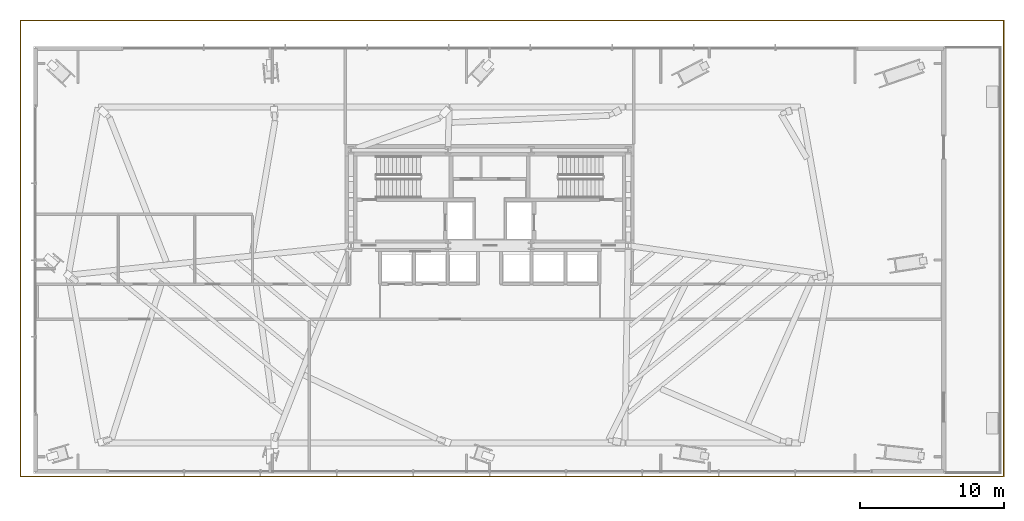
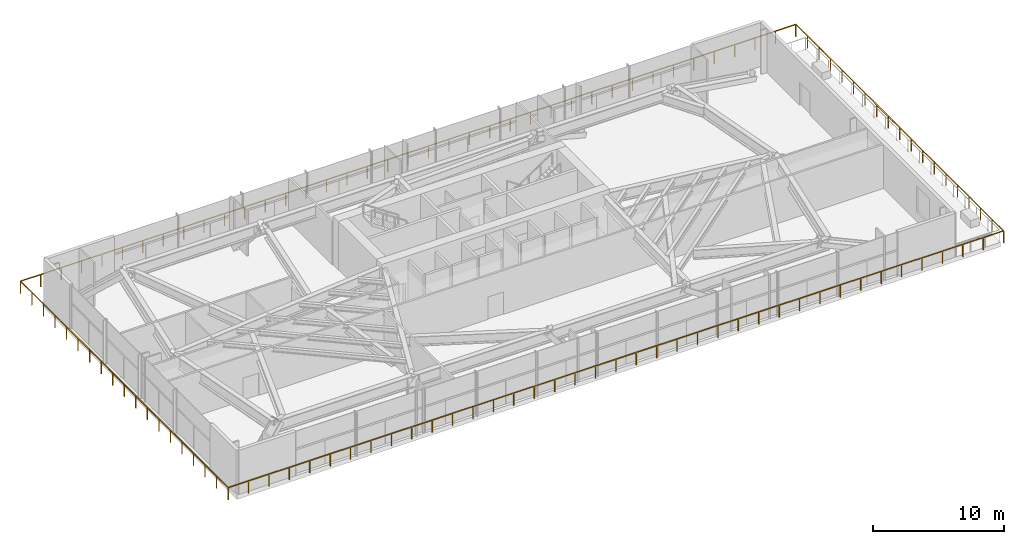
# One storey, part 26 of 29: 2 railings.
"""IFC4 building model written with IfcOpenShell, lengths in metres."""

from ifc_helpers import new_model, si_unit, direction, frame, origin, origin_2d, place, context, subcontext, project, spatial, rectangle, extrude, source, transform, mapped, material, type_object, type_shapes, element, save


model = new_model("IFC4")

# Units and contexts
model_context = context("Model", 3, precision=1e-05, world=origin(), true_north=direction((0.0, 1.0)))
body_context = subcontext(model_context, "Body", "Model", "MODEL_VIEW")
ifc_project = project(units=[si_unit("LENGTHUNIT", "METRE"), si_unit("AREAUNIT", "SQUARE_METRE"), si_unit("VOLUMEUNIT", "CUBIC_METRE"), si_unit("PLANEANGLEUNIT", "RADIAN"), si_unit("MASSUNIT", "GRAM", prefix="KILO")], contexts=[model_context])

# Site, building, storey
site_placement = place(None, origin())
site = spatial("IfcSite", under=ifc_project, at=site_placement, CompositionType="ELEMENT")
building_placement = place(site_placement, origin())
building = spatial("IfcBuilding", under=site, at=building_placement, Name="Astriad Promenade Condominiums", CompositionType="ELEMENT")
storey_placement = place(building_placement, frame((0.0, 0.0, 18.5)))
storey = spatial("IfcBuildingStorey", under=building, at=storey_placement, Name="L04", CompositionType="ELEMENT", Elevation=18.5)

# Railings
ifc_material = material(Name="Anodised Aluminium and Glass Terrace Guardrail", Category="aluminium")
railing_type = type_object("IfcRailingType", Name="GRD-TERR-1150", PredefinedType="GUARDRAIL", material=ifc_material)
shared_shape_1 = source(origin(), body_context, "Body", "SweptSolid", [
    extrude(rectangle(XDim=0.048095703125, YDim=0.048095703125, at=origin_2d()), frame((0.0, 0.0, 1.1259765625), z_axis=(0.0, -1.0, 0.0), x_axis=(1.0, 0.0, 0.0)), (0.0, 0.0, 1.0), 31.60009765625),
    extrude(rectangle(XDim=0.048095703125, YDim=0.048095703125, at=origin_2d()), frame((0.0, -31.60009765625, 1.1259765625), z_axis=(-1.0, 0.0, 0.0), x_axis=(0.0, -1.0, 0.0)), (0.0, 0.0, 1.0), 68.10009765625),
    extrude(rectangle(XDim=0.0419921875, YDim=0.0419921875, at=origin_2d()), origin(), (0.0, 0.0, 1.0), 1.101806640625),
    extrude(rectangle(XDim=0.0419921875, YDim=0.0419921875, at=origin_2d()), frame((0.0, -1.755615234375, 0.0)), (0.0, 0.0, 1.0), 1.101806640625),
    extrude(rectangle(XDim=0.0419921875, YDim=0.0419921875, at=origin_2d()), frame((0.0, -3.51123046875, 0.0)), (0.0, 0.0, 1.0), 1.101806640625),
    extrude(rectangle(XDim=0.0419921875, YDim=0.0419921875, at=origin_2d()), frame((0.0, -5.2666015625, 0.0)), (0.0, 0.0, 1.0), 1.101806640625),
    extrude(rectangle(XDim=0.0419921875, YDim=0.0419921875, at=origin_2d()), frame((0.0, -7.022216796875, 0.0)), (0.0, 0.0, 1.0), 1.101806640625),
    extrude(rectangle(XDim=0.0419921875, YDim=0.0419921875, at=origin_2d()), frame((0.0, -8.77783203125, 0.0)), (0.0, 0.0, 1.0), 1.101806640625),
    extrude(rectangle(XDim=0.0419921875, YDim=0.0419921875, at=origin_2d()), frame((0.0, -10.533447265625, 0.0)), (0.0, 0.0, 1.0), 1.101806640625),
    extrude(rectangle(XDim=0.0419921875, YDim=0.0419921875, at=origin_2d()), frame((0.0, -12.288818359375, 0.0)), (0.0, 0.0, 1.0), 1.101806640625),
    extrude(rectangle(XDim=0.0419921875, YDim=0.0419921875, at=origin_2d()), frame((0.0, -14.04443359375, 0.0)), (0.0, 0.0, 1.0), 1.101806640625),
    extrude(rectangle(XDim=0.0419921875, YDim=0.0419921875, at=origin_2d()), frame((0.0, -15.800048828125, 0.0)), (0.0, 0.0, 1.0), 1.101806640625),
    extrude(rectangle(XDim=0.0419921875, YDim=0.0419921875, at=origin_2d()), frame((0.0, -17.5556640625, 0.0)), (0.0, 0.0, 1.0), 1.101806640625),
    extrude(rectangle(XDim=0.0419921875, YDim=0.0419921875, at=origin_2d()), frame((0.0, -19.311279296875, 0.0)), (0.0, 0.0, 1.0), 1.101806640625),
    extrude(rectangle(XDim=0.0419921875, YDim=0.0419921875, at=origin_2d()), frame((0.0, -21.066650390625, 0.0)), (0.0, 0.0, 1.0), 1.101806640625),
    extrude(rectangle(XDim=0.0419921875, YDim=0.0419921875, at=origin_2d()), frame((0.0, -22.822265625, 0.0)), (0.0, 0.0, 1.0), 1.101806640625),
    extrude(rectangle(XDim=0.0419921875, YDim=0.0419921875, at=origin_2d()), frame((0.0, -24.577880859375, 0.0)), (0.0, 0.0, 1.0), 1.101806640625),
    extrude(rectangle(XDim=0.0419921875, YDim=0.0419921875, at=origin_2d()), frame((0.0, -26.33349609375, 0.0)), (0.0, 0.0, 1.0), 1.101806640625),
    extrude(rectangle(XDim=0.0419921875, YDim=0.0419921875, at=origin_2d()), frame((0.0, -28.0888671875, 0.0)), (0.0, 0.0, 1.0), 1.101806640625),
    extrude(rectangle(XDim=0.0419921875, YDim=0.0419921875, at=origin_2d()), frame((0.0, -29.844482421875, 0.0)), (0.0, 0.0, 1.0), 1.101806640625),
    extrude(rectangle(XDim=0.0419921875, YDim=0.0419921875, at=origin_2d()), frame((0.0, -31.60009765625, 0.0)), (0.0, 0.0, 1.0), 1.101806640625),
    extrude(rectangle(XDim=0.0419921875, YDim=0.0419921875, at=origin_2d()), frame((-1.7919921875, -31.60009765625, 0.0)), (0.0, 0.0, 1.0), 1.101806640625),
    extrude(rectangle(XDim=0.0419921875, YDim=0.0419921875, at=origin_2d()), frame((-3.584228515625, -31.60009765625, 0.0)), (0.0, 0.0, 1.0), 1.101806640625),
    extrude(rectangle(XDim=0.0419921875, YDim=0.0419921875, at=origin_2d()), frame((-5.376220703125, -31.60009765625, 0.0)), (0.0, 0.0, 1.0), 1.101806640625),
    extrude(rectangle(XDim=0.0419921875, YDim=0.0419921875, at=origin_2d()), frame((-7.16845703125, -31.60009765625, 0.0)), (0.0, 0.0, 1.0), 1.101806640625),
    extrude(rectangle(XDim=0.0419921875, YDim=0.0419921875, at=origin_2d()), frame((-8.96044921875, -31.60009765625, 0.0)), (0.0, 0.0, 1.0), 1.101806640625),
    extrude(rectangle(XDim=0.0419921875, YDim=0.0419921875, at=origin_2d()), frame((-10.752685546875, -31.60009765625, 0.0)), (0.0, 0.0, 1.0), 1.101806640625),
    extrude(rectangle(XDim=0.0419921875, YDim=0.0419921875, at=origin_2d()), frame((-12.544677734375, -31.60009765625, 0.0)), (0.0, 0.0, 1.0), 1.101806640625),
    extrude(rectangle(XDim=0.0419921875, YDim=0.0419921875, at=origin_2d()), frame((-14.3369140625, -31.60009765625, 0.0)), (0.0, 0.0, 1.0), 1.101806640625),
    extrude(rectangle(XDim=0.0419921875, YDim=0.0419921875, at=origin_2d()), frame((-16.12890625, -31.60009765625, 0.0)), (0.0, 0.0, 1.0), 1.101806640625),
    extrude(rectangle(XDim=0.0419921875, YDim=0.0419921875, at=origin_2d()), frame((-17.921142578125, -31.60009765625, 0.0)), (0.0, 0.0, 1.0), 1.101806640625),
    extrude(rectangle(XDim=0.0419921875, YDim=0.0419921875, at=origin_2d()), frame((-19.713134765625, -31.60009765625, 0.0)), (0.0, 0.0, 1.0), 1.101806640625),
    extrude(rectangle(XDim=0.0419921875, YDim=0.0419921875, at=origin_2d()), frame((-21.50537109375, -31.60009765625, 0.0)), (0.0, 0.0, 1.0), 1.101806640625),
    extrude(rectangle(XDim=0.0419921875, YDim=0.0419921875, at=origin_2d()), frame((-23.29736328125, -31.60009765625, 0.0)), (0.0, 0.0, 1.0), 1.101806640625),
    extrude(rectangle(XDim=0.0419921875, YDim=0.0419921875, at=origin_2d()), frame((-25.089599609375, -31.60009765625, 0.0)), (0.0, 0.0, 1.0), 1.101806640625),
    extrude(rectangle(XDim=0.0419921875, YDim=0.0419921875, at=origin_2d()), frame((-26.881591796875, -31.60009765625, 0.0)), (0.0, 0.0, 1.0), 1.101806640625),
    extrude(rectangle(XDim=0.0419921875, YDim=0.0419921875, at=origin_2d()), frame((-28.673828125, -31.60009765625, 0.0)), (0.0, 0.0, 1.0), 1.101806640625),
    extrude(rectangle(XDim=0.0419921875, YDim=0.0419921875, at=origin_2d()), frame((-30.4658203125, -31.60009765625, 0.0)), (0.0, 0.0, 1.0), 1.101806640625),
    extrude(rectangle(XDim=0.0419921875, YDim=0.0419921875, at=origin_2d()), frame((-32.258056640625, -31.60009765625, 0.0)), (0.0, 0.0, 1.0), 1.101806640625),
    extrude(rectangle(XDim=0.0419921875, YDim=0.0419921875, at=origin_2d()), frame((-34.050048828125, -31.60009765625, 0.0)), (0.0, 0.0, 1.0), 1.101806640625),
    extrude(rectangle(XDim=0.0419921875, YDim=0.0419921875, at=origin_2d()), frame((-35.842041015625, -31.60009765625, 0.0)), (0.0, 0.0, 1.0), 1.101806640625),
    extrude(rectangle(XDim=0.0419921875, YDim=0.0419921875, at=origin_2d()), frame((-37.63427734375, -31.60009765625, 0.0)), (0.0, 0.0, 1.0), 1.101806640625),
    extrude(rectangle(XDim=0.0419921875, YDim=0.0419921875, at=origin_2d()), frame((-39.42626953125, -31.60009765625, 0.0)), (0.0, 0.0, 1.0), 1.101806640625),
    extrude(rectangle(XDim=0.0419921875, YDim=0.0419921875, at=origin_2d()), frame((-41.218505859375, -31.60009765625, 0.0)), (0.0, 0.0, 1.0), 1.101806640625),
    extrude(rectangle(XDim=0.0419921875, YDim=0.0419921875, at=origin_2d()), frame((-43.010498046875, -31.60009765625, 0.0)), (0.0, 0.0, 1.0), 1.101806640625),
    extrude(rectangle(XDim=0.0419921875, YDim=0.0419921875, at=origin_2d()), frame((-44.802734375, -31.60009765625, 0.0)), (0.0, 0.0, 1.0), 1.101806640625),
    extrude(rectangle(XDim=0.0419921875, YDim=0.0419921875, at=origin_2d()), frame((-46.5947265625, -31.60009765625, 0.0)), (0.0, 0.0, 1.0), 1.101806640625),
    extrude(rectangle(XDim=0.0419921875, YDim=0.0419921875, at=origin_2d()), frame((-48.386962890625, -31.60009765625, 0.0)), (0.0, 0.0, 1.0), 1.101806640625),
    extrude(rectangle(XDim=0.0419921875, YDim=0.0419921875, at=origin_2d()), frame((-50.178955078125, -31.60009765625, 0.0)), (0.0, 0.0, 1.0), 1.101806640625),
    extrude(rectangle(XDim=0.0419921875, YDim=0.0419921875, at=origin_2d()), frame((-51.97119140625, -31.60009765625, 0.0)), (0.0, 0.0, 1.0), 1.101806640625),
    extrude(rectangle(XDim=0.0419921875, YDim=0.0419921875, at=origin_2d()), frame((-53.76318359375, -31.60009765625, 0.0)), (0.0, 0.0, 1.0), 1.101806640625),
    extrude(rectangle(XDim=0.0419921875, YDim=0.0419921875, at=origin_2d()), frame((-55.555419921875, -31.60009765625, 0.0)), (0.0, 0.0, 1.0), 1.101806640625),
    extrude(rectangle(XDim=0.0419921875, YDim=0.0419921875, at=origin_2d()), frame((-57.347412109375, -31.60009765625, 0.0)), (0.0, 0.0, 1.0), 1.101806640625),
    extrude(rectangle(XDim=0.0419921875, YDim=0.0419921875, at=origin_2d()), frame((-59.1396484375, -31.60009765625, 0.0)), (0.0, 0.0, 1.0), 1.101806640625),
    extrude(rectangle(XDim=0.0419921875, YDim=0.0419921875, at=origin_2d()), frame((-60.931640625, -31.60009765625, 0.0)), (0.0, 0.0, 1.0), 1.101806640625),
    extrude(rectangle(XDim=0.0419921875, YDim=0.0419921875, at=origin_2d()), frame((-62.723876953125, -31.60009765625, 0.0)), (0.0, 0.0, 1.0), 1.101806640625),
    extrude(rectangle(XDim=0.0419921875, YDim=0.0419921875, at=origin_2d()), frame((-64.515869140625, -31.60009765625, 0.0)), (0.0, 0.0, 1.0), 1.101806640625),
    extrude(rectangle(XDim=0.0419921875, YDim=0.0419921875, at=origin_2d()), frame((-66.30810546875, -31.60009765625, 0.0)), (0.0, 0.0, 1.0), 1.101806640625),
    extrude(rectangle(XDim=0.0419921875, YDim=0.0419921875, at=origin_2d()), frame((-68.10009765625, -31.60009765625, 0.0)), (0.0, 0.0, 1.0), 1.101806640625),
])
railing_1_placement = place(storey_placement, frame((71.60009765625, 33.0, 0.0)))
element("IfcRailing", 1, at=railing_1_placement, inside=storey, type_object=railing_type, Name="GRD-PSTEP-L04-01", PredefinedType="GUARDRAIL", context=body_context, shape_type="MappedRepresentation", body=[
    mapped(shared_shape_1, transform((0.0, 0.0, 0.0), scale=1.0)),
])
shared_shape_2 = source(origin(), body_context, "Body", "SweptSolid", [
    extrude(rectangle(XDim=0.048095703125, YDim=0.048095703125, at=origin_2d()), frame((0.0, 0.0, 1.1259765625), z_axis=(0.0, 1.0, 0.0), x_axis=(-1.0, 0.0, 0.0)), (0.0, 0.0, 1.0), 31.60009765625),
    extrude(rectangle(XDim=0.048095703125, YDim=0.048095703125, at=origin_2d()), frame((0.0, 31.60009765625, 1.1259765625), z_axis=(1.0, 0.0, 0.0), x_axis=(0.0, 1.0, 0.0)), (0.0, 0.0, 1.0), 68.10009765625),
    extrude(rectangle(XDim=0.0419921875, YDim=0.0419921875, at=origin_2d()), origin(), (0.0, 0.0, 1.0), 1.101806640625),
    extrude(rectangle(XDim=0.0419921875, YDim=0.0419921875, at=origin_2d()), frame((0.0, 1.755615234375, 0.0)), (0.0, 0.0, 1.0), 1.101806640625),
    extrude(rectangle(XDim=0.0419921875, YDim=0.0419921875, at=origin_2d()), frame((0.0, 3.51123046875, 0.0)), (0.0, 0.0, 1.0), 1.101806640625),
    extrude(rectangle(XDim=0.0419921875, YDim=0.0419921875, at=origin_2d()), frame((0.0, 5.2666015625, 0.0)), (0.0, 0.0, 1.0), 1.101806640625),
    extrude(rectangle(XDim=0.0419921875, YDim=0.0419921875, at=origin_2d()), frame((0.0, 7.022216796875, 0.0)), (0.0, 0.0, 1.0), 1.101806640625),
    extrude(rectangle(XDim=0.0419921875, YDim=0.0419921875, at=origin_2d()), frame((0.0, 8.77783203125, 0.0)), (0.0, 0.0, 1.0), 1.101806640625),
    extrude(rectangle(XDim=0.0419921875, YDim=0.0419921875, at=origin_2d()), frame((0.0, 10.533447265625, 0.0)), (0.0, 0.0, 1.0), 1.101806640625),
    extrude(rectangle(XDim=0.0419921875, YDim=0.0419921875, at=origin_2d()), frame((0.0, 12.288818359375, 0.0)), (0.0, 0.0, 1.0), 1.101806640625),
    extrude(rectangle(XDim=0.0419921875, YDim=0.0419921875, at=origin_2d()), frame((0.0, 14.04443359375, 0.0)), (0.0, 0.0, 1.0), 1.101806640625),
    extrude(rectangle(XDim=0.0419921875, YDim=0.0419921875, at=origin_2d()), frame((0.0, 15.800048828125, 0.0)), (0.0, 0.0, 1.0), 1.101806640625),
    extrude(rectangle(XDim=0.0419921875, YDim=0.0419921875, at=origin_2d()), frame((0.0, 17.5556640625, 0.0)), (0.0, 0.0, 1.0), 1.101806640625),
    extrude(rectangle(XDim=0.0419921875, YDim=0.0419921875, at=origin_2d()), frame((0.0, 19.311279296875, 0.0)), (0.0, 0.0, 1.0), 1.101806640625),
    extrude(rectangle(XDim=0.0419921875, YDim=0.0419921875, at=origin_2d()), frame((0.0, 21.066650390625, 0.0)), (0.0, 0.0, 1.0), 1.101806640625),
    extrude(rectangle(XDim=0.0419921875, YDim=0.0419921875, at=origin_2d()), frame((0.0, 22.822265625, 0.0)), (0.0, 0.0, 1.0), 1.101806640625),
    extrude(rectangle(XDim=0.0419921875, YDim=0.0419921875, at=origin_2d()), frame((0.0, 24.577880859375, 0.0)), (0.0, 0.0, 1.0), 1.101806640625),
    extrude(rectangle(XDim=0.0419921875, YDim=0.0419921875, at=origin_2d()), frame((0.0, 26.33349609375, 0.0)), (0.0, 0.0, 1.0), 1.101806640625),
    extrude(rectangle(XDim=0.0419921875, YDim=0.0419921875, at=origin_2d()), frame((0.0, 28.0888671875, 0.0)), (0.0, 0.0, 1.0), 1.101806640625),
    extrude(rectangle(XDim=0.0419921875, YDim=0.0419921875, at=origin_2d()), frame((0.0, 29.844482421875, 0.0)), (0.0, 0.0, 1.0), 1.101806640625),
    extrude(rectangle(XDim=0.0419921875, YDim=0.0419921875, at=origin_2d()), frame((0.0, 31.60009765625, 0.0)), (0.0, 0.0, 1.0), 1.101806640625),
    extrude(rectangle(XDim=0.0419921875, YDim=0.0419921875, at=origin_2d()), frame((1.7919921875, 31.60009765625, 0.0)), (0.0, 0.0, 1.0), 1.101806640625),
    extrude(rectangle(XDim=0.0419921875, YDim=0.0419921875, at=origin_2d()), frame((3.584228515625, 31.60009765625, 0.0)), (0.0, 0.0, 1.0), 1.101806640625),
    extrude(rectangle(XDim=0.0419921875, YDim=0.0419921875, at=origin_2d()), frame((5.376220703125, 31.60009765625, 0.0)), (0.0, 0.0, 1.0), 1.101806640625),
    extrude(rectangle(XDim=0.0419921875, YDim=0.0419921875, at=origin_2d()), frame((7.16845703125, 31.60009765625, 0.0)), (0.0, 0.0, 1.0), 1.101806640625),
    extrude(rectangle(XDim=0.0419921875, YDim=0.0419921875, at=origin_2d()), frame((8.96044921875, 31.60009765625, 0.0)), (0.0, 0.0, 1.0), 1.101806640625),
    extrude(rectangle(XDim=0.0419921875, YDim=0.0419921875, at=origin_2d()), frame((10.752685546875, 31.60009765625, 0.0)), (0.0, 0.0, 1.0), 1.101806640625),
    extrude(rectangle(XDim=0.0419921875, YDim=0.0419921875, at=origin_2d()), frame((12.544677734375, 31.60009765625, 0.0)), (0.0, 0.0, 1.0), 1.101806640625),
    extrude(rectangle(XDim=0.0419921875, YDim=0.0419921875, at=origin_2d()), frame((14.3369140625, 31.60009765625, 0.0)), (0.0, 0.0, 1.0), 1.101806640625),
    extrude(rectangle(XDim=0.0419921875, YDim=0.0419921875, at=origin_2d()), frame((16.12890625, 31.60009765625, 0.0)), (0.0, 0.0, 1.0), 1.101806640625),
    extrude(rectangle(XDim=0.0419921875, YDim=0.0419921875, at=origin_2d()), frame((17.921142578125, 31.60009765625, 0.0)), (0.0, 0.0, 1.0), 1.101806640625),
    extrude(rectangle(XDim=0.0419921875, YDim=0.0419921875, at=origin_2d()), frame((19.713134765625, 31.60009765625, 0.0)), (0.0, 0.0, 1.0), 1.101806640625),
    extrude(rectangle(XDim=0.0419921875, YDim=0.0419921875, at=origin_2d()), frame((21.50537109375, 31.60009765625, 0.0)), (0.0, 0.0, 1.0), 1.101806640625),
    extrude(rectangle(XDim=0.0419921875, YDim=0.0419921875, at=origin_2d()), frame((23.29736328125, 31.60009765625, 0.0)), (0.0, 0.0, 1.0), 1.101806640625),
    extrude(rectangle(XDim=0.0419921875, YDim=0.0419921875, at=origin_2d()), frame((25.089599609375, 31.60009765625, 0.0)), (0.0, 0.0, 1.0), 1.101806640625),
    extrude(rectangle(XDim=0.0419921875, YDim=0.0419921875, at=origin_2d()), frame((26.881591796875, 31.60009765625, 0.0)), (0.0, 0.0, 1.0), 1.101806640625),
    extrude(rectangle(XDim=0.0419921875, YDim=0.0419921875, at=origin_2d()), frame((28.673828125, 31.60009765625, 0.0)), (0.0, 0.0, 1.0), 1.101806640625),
    extrude(rectangle(XDim=0.0419921875, YDim=0.0419921875, at=origin_2d()), frame((30.4658203125, 31.60009765625, 0.0)), (0.0, 0.0, 1.0), 1.101806640625),
    extrude(rectangle(XDim=0.0419921875, YDim=0.0419921875, at=origin_2d()), frame((32.258056640625, 31.60009765625, 0.0)), (0.0, 0.0, 1.0), 1.101806640625),
    extrude(rectangle(XDim=0.0419921875, YDim=0.0419921875, at=origin_2d()), frame((34.050048828125, 31.60009765625, 0.0)), (0.0, 0.0, 1.0), 1.101806640625),
    extrude(rectangle(XDim=0.0419921875, YDim=0.0419921875, at=origin_2d()), frame((35.842041015625, 31.60009765625, 0.0)), (0.0, 0.0, 1.0), 1.101806640625),
    extrude(rectangle(XDim=0.0419921875, YDim=0.0419921875, at=origin_2d()), frame((37.63427734375, 31.60009765625, 0.0)), (0.0, 0.0, 1.0), 1.101806640625),
    extrude(rectangle(XDim=0.0419921875, YDim=0.0419921875, at=origin_2d()), frame((39.42626953125, 31.60009765625, 0.0)), (0.0, 0.0, 1.0), 1.101806640625),
    extrude(rectangle(XDim=0.0419921875, YDim=0.0419921875, at=origin_2d()), frame((41.218505859375, 31.60009765625, 0.0)), (0.0, 0.0, 1.0), 1.101806640625),
    extrude(rectangle(XDim=0.0419921875, YDim=0.0419921875, at=origin_2d()), frame((43.010498046875, 31.60009765625, 0.0)), (0.0, 0.0, 1.0), 1.101806640625),
    extrude(rectangle(XDim=0.0419921875, YDim=0.0419921875, at=origin_2d()), frame((44.802734375, 31.60009765625, 0.0)), (0.0, 0.0, 1.0), 1.101806640625),
    extrude(rectangle(XDim=0.0419921875, YDim=0.0419921875, at=origin_2d()), frame((46.5947265625, 31.60009765625, 0.0)), (0.0, 0.0, 1.0), 1.101806640625),
    extrude(rectangle(XDim=0.0419921875, YDim=0.0419921875, at=origin_2d()), frame((48.386962890625, 31.60009765625, 0.0)), (0.0, 0.0, 1.0), 1.101806640625),
    extrude(rectangle(XDim=0.0419921875, YDim=0.0419921875, at=origin_2d()), frame((50.178955078125, 31.60009765625, 0.0)), (0.0, 0.0, 1.0), 1.101806640625),
    extrude(rectangle(XDim=0.0419921875, YDim=0.0419921875, at=origin_2d()), frame((51.97119140625, 31.60009765625, 0.0)), (0.0, 0.0, 1.0), 1.101806640625),
    extrude(rectangle(XDim=0.0419921875, YDim=0.0419921875, at=origin_2d()), frame((53.76318359375, 31.60009765625, 0.0)), (0.0, 0.0, 1.0), 1.101806640625),
    extrude(rectangle(XDim=0.0419921875, YDim=0.0419921875, at=origin_2d()), frame((55.555419921875, 31.60009765625, 0.0)), (0.0, 0.0, 1.0), 1.101806640625),
    extrude(rectangle(XDim=0.0419921875, YDim=0.0419921875, at=origin_2d()), frame((57.347412109375, 31.60009765625, 0.0)), (0.0, 0.0, 1.0), 1.101806640625),
    extrude(rectangle(XDim=0.0419921875, YDim=0.0419921875, at=origin_2d()), frame((59.1396484375, 31.60009765625, 0.0)), (0.0, 0.0, 1.0), 1.101806640625),
    extrude(rectangle(XDim=0.0419921875, YDim=0.0419921875, at=origin_2d()), frame((60.931640625, 31.60009765625, 0.0)), (0.0, 0.0, 1.0), 1.101806640625),
    extrude(rectangle(XDim=0.0419921875, YDim=0.0419921875, at=origin_2d()), frame((62.723876953125, 31.60009765625, 0.0)), (0.0, 0.0, 1.0), 1.101806640625),
    extrude(rectangle(XDim=0.0419921875, YDim=0.0419921875, at=origin_2d()), frame((64.515869140625, 31.60009765625, 0.0)), (0.0, 0.0, 1.0), 1.101806640625),
    extrude(rectangle(XDim=0.0419921875, YDim=0.0419921875, at=origin_2d()), frame((66.30810546875, 31.60009765625, 0.0)), (0.0, 0.0, 1.0), 1.101806640625),
    extrude(rectangle(XDim=0.0419921875, YDim=0.0419921875, at=origin_2d()), frame((68.10009765625, 31.60009765625, 0.0)), (0.0, 0.0, 1.0), 1.101806640625),
])
type_shapes(railing_type, [shared_shape_1, shared_shape_2])
railing_2_placement = place(storey_placement, frame((3.5, 1.39990234375, 0.0)))
element("IfcRailing", 2, at=railing_2_placement, inside=storey, type_object=railing_type, Name="GRD-PSTEP-L04-02", PredefinedType="GUARDRAIL", context=body_context, shape_type="MappedRepresentation", body=[
    mapped(shared_shape_2, transform((0.0, 0.0, 0.0), scale=1.0)),
])

save(model, "model.ifc")
